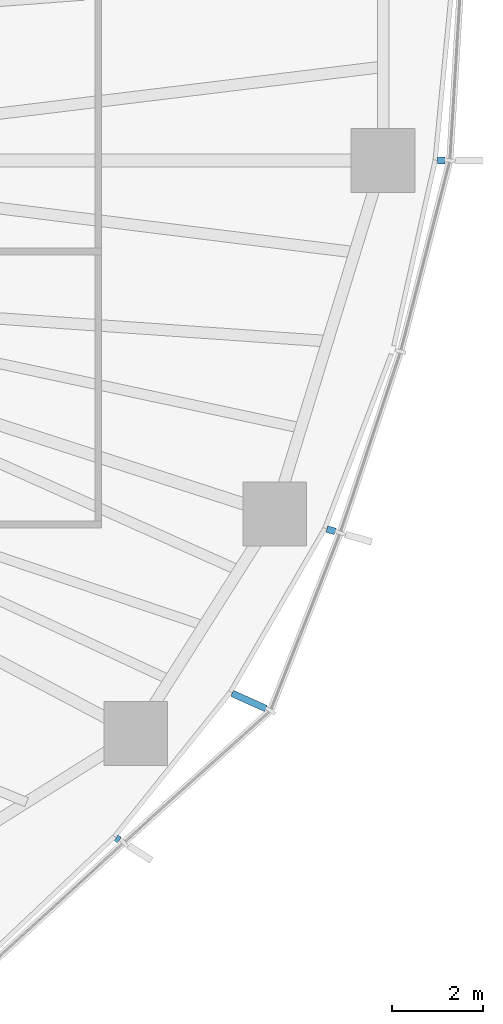
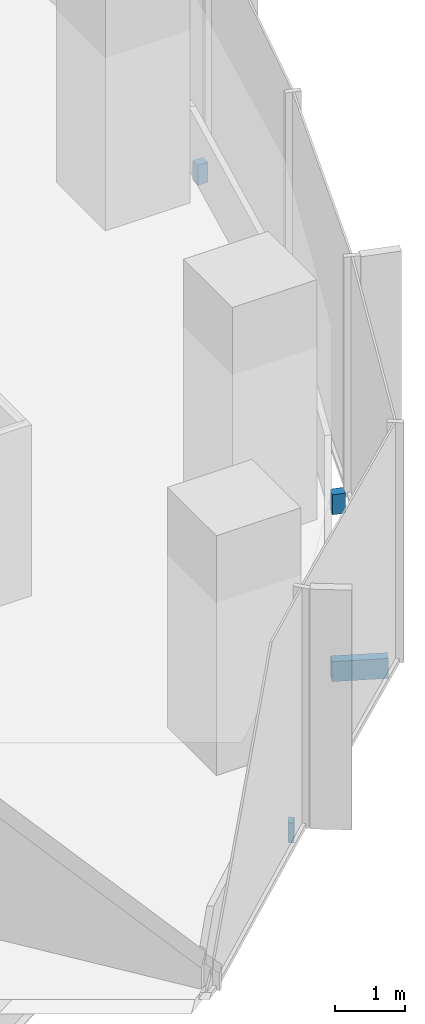
# One storey, part 14 of 18: 4 discrete accessories.
"""IFC4 building model written with IfcOpenShell, lengths in metres."""

from ifc_helpers import new_model, si_unit, direction, frame, origin, origin_2d, place, context, subcontext, project, spatial, rectangle, extrude, material, type_object, element, save


model = new_model("IFC4")

# Units and contexts
model_context = context("Model", 3, precision=1e-05, world=origin(), true_north=direction((0.0, 1.0)))
body_context = subcontext(model_context, "Body", "Model", "MODEL_VIEW")
ifc_project = project(units=[si_unit("LENGTHUNIT", "METRE"), si_unit("AREAUNIT", "SQUARE_METRE"), si_unit("VOLUMEUNIT", "CUBIC_METRE"), si_unit("PLANEANGLEUNIT", "RADIAN"), si_unit("MASSUNIT", "GRAM", prefix="KILO")], contexts=[model_context])

# Site, building, storey
site_placement = place(None, origin())
site = spatial("IfcSite", under=ifc_project, at=site_placement, CompositionType="ELEMENT")
building_placement = place(site_placement, origin())
building = spatial("IfcBuilding", under=site, at=building_placement, Name="Ghaith Harvest Tower", CompositionType="ELEMENT")
storey_placement = place(building_placement, frame((0.0, 0.0, 147.0)))
storey = spatial("IfcBuildingStorey", under=building, at=storey_placement, Name="L31", CompositionType="ELEMENT", Elevation=147.0)

# Discrete accessories
ifc_material_1 = material(Name="Stainless steel grade 1.4401", Category="steel")
discrete_accessory_type_1 = type_object("IfcDiscreteAccessoryType", Name="CURTAIN WALL BRACKET 165", PredefinedType="BRACKET", material=ifc_material_1)
discrete_accessory_1_placement = place(storey_placement, frame((30.5361328125, 0.0, -0.25), z_axis=(0.0, 0.0, 1.0), x_axis=(1.0, 0.0, 0.0)))
element("IfcDiscreteAccessory", 1, at=discrete_accessory_1_placement, inside=storey, type_object=discrete_accessory_type_1, Name="CW-L bracket 1 bay 01 L31", PredefinedType="BRACKET", context=body_context, shape_type="SweptSolid", body=[
    extrude(rectangle(XDim=0.1650390625, YDim=0.14990234375, at=origin_2d()), origin(), (0.0, 0.0, 1.0), 0.35009765625),
])
ifc_material_2 = material(Name="Stainless steel grade 1.4401", Category="steel")
discrete_accessory_type_2 = type_object("IfcDiscreteAccessoryType", Name="CURTAIN WALL BRACKET 195", PredefinedType="BRACKET", material=ifc_material_2)
discrete_accessory_2_placement = place(storey_placement, frame((28.1201171875, -8.127197265625, -0.25), z_axis=(0.0, 0.0, 1.0), x_axis=(0.960680349932, -0.277656739976, 0.0)))
element("IfcDiscreteAccessory", 2, at=discrete_accessory_2_placement, inside=storey, type_object=discrete_accessory_type_2, Name="CW-L bracket 1 bay 20 L31", PredefinedType="BRACKET", context=body_context, shape_type="SweptSolid", body=[
    extrude(rectangle(XDim=0.195068359375, YDim=0.14990234375, at=origin_2d()), origin(), (0.0, 0.0, 1.0), 0.35009765625),
])
ifc_material_3 = material(Name="Stainless steel grade 1.4401", Category="steel")
discrete_accessory_type_3 = type_object("IfcDiscreteAccessoryType", Name="CURTAIN WALL BRACKET 815", PredefinedType="BRACKET", material=ifc_material_3)
discrete_accessory_3_placement = place(storey_placement, frame((26.314697265625, -11.879638671875, -0.25), z_axis=(0.0, 0.0, 1.0), x_axis=(0.911426750831, -0.41146236507, 0.0)))
element("IfcDiscreteAccessory", 3, at=discrete_accessory_3_placement, inside=storey, type_object=discrete_accessory_type_3, Name="CW-L bracket 2 bay 19 L31", PredefinedType="BRACKET", context=body_context, shape_type="SweptSolid", body=[
    extrude(rectangle(XDim=0.81494140625, YDim=0.14990234375, at=origin_2d()), origin(), (0.0, 0.0, 1.0), 0.35009765625),
])
ifc_material_4 = material(Name="Stainless steel grade 1.4401", Category="steel")
discrete_accessory_type_4 = type_object("IfcDiscreteAccessoryType", Name="CURTAIN WALL BRACKET 85", PredefinedType="BRACKET", material=ifc_material_4)
discrete_accessory_4_placement = place(storey_placement, frame((23.431884765625, -14.912353515625, -0.25), z_axis=(0.0, 0.0, 1.0), x_axis=(0.84364397137, -0.536903016913, 0.0)))
element("IfcDiscreteAccessory", 4, at=discrete_accessory_4_placement, inside=storey, type_object=discrete_accessory_type_4, Name="CW-L bracket 1 bay 19 L31", PredefinedType="BRACKET", context=body_context, shape_type="SweptSolid", body=[
    extrude(rectangle(XDim=0.0849609375, YDim=0.14990234375, at=origin_2d()), origin(), (0.0, 0.0, 1.0), 0.35009765625),
])

save(model, "model.ifc")
